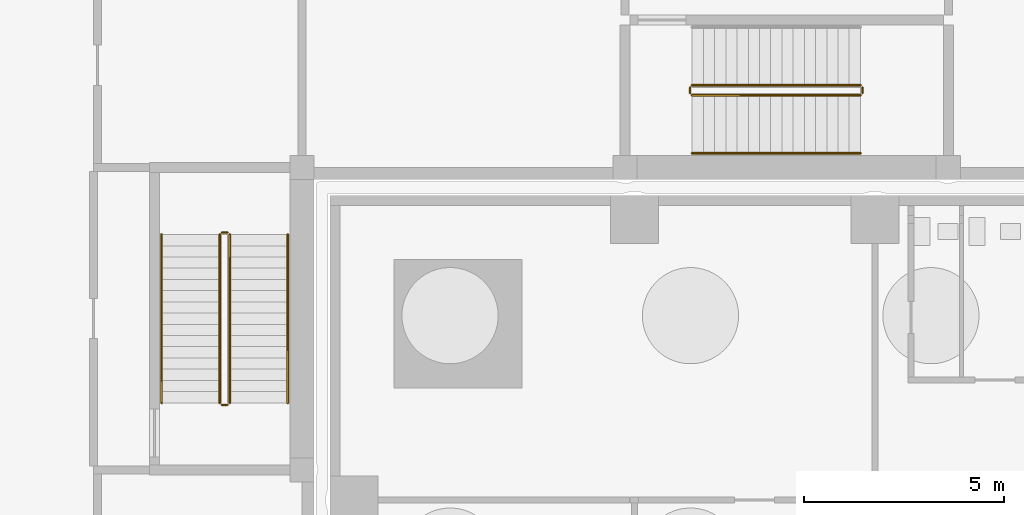
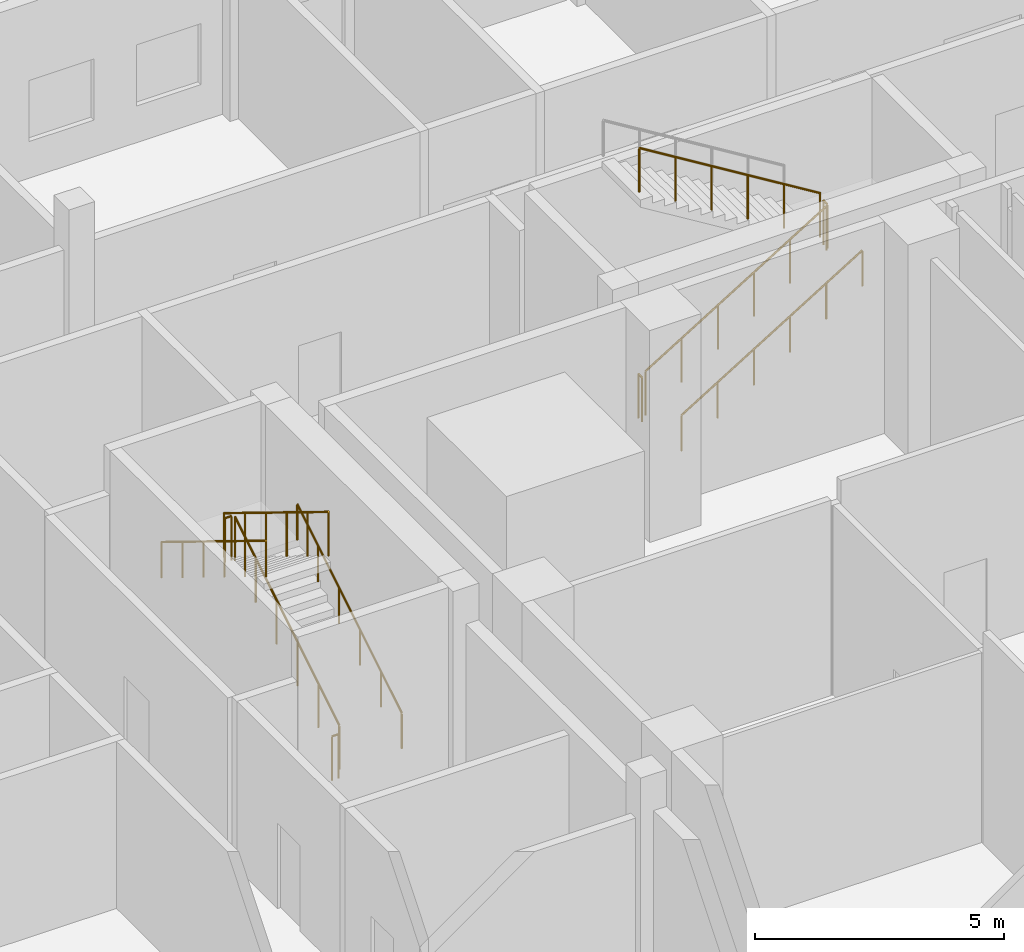
# One storey, part 28 of 33: 11 railings.
"""IFC4 building model written with IfcOpenShell, lengths in metres."""

from ifc_helpers import new_model, si_unit, direction, frame, origin, origin_2d, place, context, subcontext, project, spatial, circle, extrude, material, type_object, element, save


model = new_model("IFC4")

# Units and contexts
model_context = context("Model", 3, precision=1e-05, world=origin(), true_north=direction((0.0, 1.0)))
body_context = subcontext(model_context, "Body", "Model", "MODEL_VIEW")
ifc_project = project(units=[si_unit("LENGTHUNIT", "METRE"), si_unit("AREAUNIT", "SQUARE_METRE"), si_unit("VOLUMEUNIT", "CUBIC_METRE"), si_unit("PLANEANGLEUNIT", "RADIAN"), si_unit("MASSUNIT", "GRAM", prefix="KILO")], contexts=[model_context])

# Site, building, storey
site_placement = place(None, origin())
site = spatial("IfcSite", under=ifc_project, at=site_placement, CompositionType="ELEMENT")
building_placement = place(site_placement, origin())
building = spatial("IfcBuilding", under=site, at=building_placement, Name="Amberfall Residences", CompositionType="ELEMENT")
storey_placement = place(building_placement, origin())
storey = spatial("IfcBuildingStorey", under=building, at=storey_placement, Name="L00", CompositionType="ELEMENT", Elevation=0.0)

# Railings
ifc_material = material(Name="Stainless steel", Category="steel")
railing_type_1 = type_object("IfcRailingType", Name="School stair guard 1100", PredefinedType="GUARDRAIL", material=ifc_material)
railing_1_placement = place(storey_placement, frame((49.5, 62.824951171875, 0.171875)))
element("IfcRailing", 1, at=railing_1_placement, inside=storey, type_object=railing_type_1, Name="L00 SS3 stair guard 1", PredefinedType="GUARDRAIL", context=body_context, shape_type="SweptSolid", body=[
    extrude(circle(Radius=0.02392578125, at=origin_2d()), frame((0.0, 0.0, 1.076171875), z_axis=(0.0, 0.852242915053, 0.523146264196), x_axis=(-1.0, 0.0, 0.0)), (0.0, 0.0, 1.0), 4.92822265625),
    extrude(circle(Radius=0.02099609375, at=origin_2d()), origin(), (0.0, 0.0, 1.0), 1.052001953125),
    extrude(circle(Radius=0.02099609375, at=origin_2d()), frame((0.0, 0.840087890625, 0.515625)), (0.0, 0.0, 1.0), 1.052001953125),
    extrude(circle(Radius=0.02099609375, at=origin_2d()), frame((0.0, 1.679931640625, 1.03125)), (0.0, 0.0, 1.0), 1.052001953125),
    extrude(circle(Radius=0.02099609375, at=origin_2d()), frame((0.0, 2.52001953125, 1.546875)), (0.0, 0.0, 1.0), 1.052001953125),
    extrude(circle(Radius=0.02099609375, at=origin_2d()), frame((0.0, 3.35986328125, 2.0625)), (0.0, 0.0, 1.0), 1.052001953125),
    extrude(circle(Radius=0.02099609375, at=origin_2d()), frame((0.0, 4.199951171875, 2.578125)), (0.0, 0.0, 1.0), 1.052001953125),
])
railing_2_placement = place(storey_placement, frame((49.449951171875, 67.074951171875, 2.75)))
element("IfcRailing", 2, at=railing_2_placement, inside=storey, type_object=railing_type_1, Name="L00 SS3 stair guard 2", PredefinedType="GUARDRAIL", context=body_context, shape_type="SweptSolid", body=[
    extrude(circle(Radius=0.02392578125, at=origin_2d()), frame((0.0, 0.0, 1.076171875), z_axis=(-1.0, 0.0, 0.0), x_axis=(0.0, -1.0, 0.0)), (0.0, 0.0, 1.0), 0.14990234375),
    extrude(circle(Radius=0.02099609375, at=origin_2d()), origin(), (0.0, 0.0, 1.0), 1.052001953125),
    extrude(circle(Radius=0.02099609375, at=origin_2d()), frame((-0.14990234375, 0.0, 0.0)), (0.0, 0.0, 1.0), 1.052001953125),
])
railing_3_placement = place(storey_placement, frame((49.25, 67.02490234375, 2.921875)))
element("IfcRailing", 3, at=railing_3_placement, inside=storey, type_object=railing_type_1, Name="L00 SS3 stair guard 3", PredefinedType="GUARDRAIL", context=body_context, shape_type="SweptSolid", body=[
    extrude(circle(Radius=0.02392578125, at=origin_2d()), frame((0.0, 0.0, 1.076171875), z_axis=(0.0, -0.852242915053, 0.523146264196), x_axis=(1.0, 0.0, 0.0)), (0.0, 0.0, 1.0), 4.92822265625),
    extrude(circle(Radius=0.02099609375, at=origin_2d()), origin(), (0.0, 0.0, 1.0), 1.052001953125),
    extrude(circle(Radius=0.02099609375, at=origin_2d()), frame((0.0, -0.840087890625, 0.515625)), (0.0, 0.0, 1.0), 1.052001953125),
    extrude(circle(Radius=0.02099609375, at=origin_2d()), frame((0.0, -1.679931640625, 1.03125)), (0.0, 0.0, 1.0), 1.052001953125),
    extrude(circle(Radius=0.02099609375, at=origin_2d()), frame((0.0, -2.52001953125, 1.546875)), (0.0, 0.0, 1.0), 1.052001953125),
    extrude(circle(Radius=0.02099609375, at=origin_2d()), frame((0.0, -3.35986328125, 2.0625)), (0.0, 0.0, 1.0), 1.052001953125),
    extrude(circle(Radius=0.02099609375, at=origin_2d()), frame((0.0, -4.199951171875, 2.578125)), (0.0, 0.0, 1.0), 1.052001953125),
])
railing_4_placement = place(storey_placement, frame((49.449951171875, 62.77490234375, 0.0)))
element("IfcRailing", 4, at=railing_4_placement, inside=storey, type_object=railing_type_1, Name="L00 SS3 stair guard 4", PredefinedType="GUARDRAIL", context=body_context, shape_type="SweptSolid", body=[
    extrude(circle(Radius=0.02392578125, at=origin_2d()), frame((0.0, 0.0, 1.076171875), z_axis=(-1.0, 0.0, 0.0), x_axis=(0.0, -1.0, 0.0)), (0.0, 0.0, 1.0), 0.14990234375),
    extrude(circle(Radius=0.02099609375, at=origin_2d()), origin(), (0.0, 0.0, 1.0), 1.052001953125),
    extrude(circle(Radius=0.02099609375, at=origin_2d()), frame((-0.14990234375, 0.0, 0.0)), (0.0, 0.0, 1.0), 1.052001953125),
])
railing_5_placement = place(storey_placement, frame((61.0419921875, 70.5, 0.171875)))
element("IfcRailing", 5, at=railing_5_placement, inside=storey, type_object=railing_type_1, Name="L00 SS4 stair guard 1", PredefinedType="GUARDRAIL", context=body_context, shape_type="SweptSolid", body=[
    extrude(circle(Radius=0.02392578125, at=origin_2d()), frame((0.0, 0.0, 1.076171875), z_axis=(0.852242915053, 0.0, 0.523146264196), x_axis=(0.0, 1.0, 0.0)), (0.0, 0.0, 1.0), 4.92822265625),
    extrude(circle(Radius=0.02099609375, at=origin_2d()), origin(), (0.0, 0.0, 1.0), 1.052001953125),
    extrude(circle(Radius=0.02099609375, at=origin_2d()), frame((0.840087890625, 0.0, 0.515625)), (0.0, 0.0, 1.0), 1.052001953125),
    extrude(circle(Radius=0.02099609375, at=origin_2d()), frame((1.679931640625, 0.0, 1.03125)), (0.0, 0.0, 1.0), 1.052001953125),
    extrude(circle(Radius=0.02099609375, at=origin_2d()), frame((2.52001953125, 0.0, 1.546875)), (0.0, 0.0, 1.0), 1.052001953125),
    extrude(circle(Radius=0.02099609375, at=origin_2d()), frame((3.35986328125, 0.0, 2.0625)), (0.0, 0.0, 1.0), 1.052001953125),
    extrude(circle(Radius=0.02099609375, at=origin_2d()), frame((4.199951171875, 0.0, 2.578125)), (0.0, 0.0, 1.0), 1.052001953125),
])
railing_6_placement = place(storey_placement, frame((65.2919921875, 70.550048828125, 2.75)))
element("IfcRailing", 6, at=railing_6_placement, inside=storey, type_object=railing_type_1, Name="L00 SS4 stair guard 2", PredefinedType="GUARDRAIL", context=body_context, shape_type="SweptSolid", body=[
    extrude(circle(Radius=0.02392578125, at=origin_2d()), frame((0.0, 0.0, 1.076171875), z_axis=(0.0, 1.0, 0.0), x_axis=(-1.0, 0.0, 0.0)), (0.0, 0.0, 1.0), 0.14990234375),
    extrude(circle(Radius=0.02099609375, at=origin_2d()), origin(), (0.0, 0.0, 1.0), 1.052001953125),
    extrude(circle(Radius=0.02099609375, at=origin_2d()), frame((0.0, 0.14990234375, 0.0)), (0.0, 0.0, 1.0), 1.052001953125),
])
railing_7_placement = place(storey_placement, frame((65.241943359375, 70.75, 2.921875)))
element("IfcRailing", 7, at=railing_7_placement, inside=storey, type_object=railing_type_1, Name="L00 SS4 stair guard 3", PredefinedType="GUARDRAIL", context=body_context, shape_type="SweptSolid", body=[
    extrude(circle(Radius=0.02392578125, at=origin_2d()), frame((0.0, 0.0, 1.076171875), z_axis=(-0.852242915053, 0.0, 0.523146264196), x_axis=(0.0, -1.0, 0.0)), (0.0, 0.0, 1.0), 4.92822265625),
    extrude(circle(Radius=0.02099609375, at=origin_2d()), origin(), (0.0, 0.0, 1.0), 1.052001953125),
    extrude(circle(Radius=0.02099609375, at=origin_2d()), frame((-0.840087890625, 0.0, 0.515625)), (0.0, 0.0, 1.0), 1.052001953125),
    extrude(circle(Radius=0.02099609375, at=origin_2d()), frame((-1.679931640625, 0.0, 1.03125)), (0.0, 0.0, 1.0), 1.052001953125),
    extrude(circle(Radius=0.02099609375, at=origin_2d()), frame((-2.52001953125, 0.0, 1.546875)), (0.0, 0.0, 1.0), 1.052001953125),
    extrude(circle(Radius=0.02099609375, at=origin_2d()), frame((-3.35986328125, 0.0, 2.0625)), (0.0, 0.0, 1.0), 1.052001953125),
    extrude(circle(Radius=0.02099609375, at=origin_2d()), frame((-4.199951171875, 0.0, 2.578125)), (0.0, 0.0, 1.0), 1.052001953125),
])
railing_8_placement = place(storey_placement, frame((60.991943359375, 70.550048828125, 0.0)))
element("IfcRailing", 8, at=railing_8_placement, inside=storey, type_object=railing_type_1, Name="L00 SS4 stair guard 4", PredefinedType="GUARDRAIL", context=body_context, shape_type="SweptSolid", body=[
    extrude(circle(Radius=0.02392578125, at=origin_2d()), frame((0.0, 0.0, 1.076171875), z_axis=(0.0, 1.0, 0.0), x_axis=(-1.0, 0.0, 0.0)), (0.0, 0.0, 1.0), 0.14990234375),
    extrude(circle(Radius=0.02099609375, at=origin_2d()), origin(), (0.0, 0.0, 1.0), 1.052001953125),
    extrude(circle(Radius=0.02099609375, at=origin_2d()), frame((0.0, 0.14990234375, 0.0)), (0.0, 0.0, 1.0), 1.052001953125),
])
railing_type_2 = type_object("IfcRailingType", Name="School stair handrail", PredefinedType="HANDRAIL", material=ifc_material)
railing_9_placement = place(storey_placement, frame((50.949951171875, 62.824951171875, 0.171875)))
element("IfcRailing", 9, at=railing_9_placement, inside=storey, type_object=railing_type_2, Name="L00 SS3 stair handrail 1", PredefinedType="HANDRAIL", context=body_context, shape_type="SweptSolid", body=[
    extrude(circle(Radius=0.02392578125, at=origin_2d()), frame((0.0, 0.0, 0.8759765625), z_axis=(0.0, 0.852242915053, 0.523146264196), x_axis=(-1.0, 0.0, 0.0)), (0.0, 0.0, 1.0), 4.92822265625),
    extrude(circle(Radius=0.02099609375, at=origin_2d()), origin(), (0.0, 0.0, 1.0), 0.851806640625),
    extrude(circle(Radius=0.02099609375, at=origin_2d()), frame((0.0, 0.840087890625, 0.515625)), (0.0, 0.0, 1.0), 0.851806640625),
    extrude(circle(Radius=0.02099609375, at=origin_2d()), frame((0.0, 1.679931640625, 1.03125)), (0.0, 0.0, 1.0), 0.851806640625),
    extrude(circle(Radius=0.02099609375, at=origin_2d()), frame((0.0, 2.52001953125, 1.546875)), (0.0, 0.0, 1.0), 0.851806640625),
    extrude(circle(Radius=0.02099609375, at=origin_2d()), frame((0.0, 3.35986328125, 2.0625)), (0.0, 0.0, 1.0), 0.851806640625),
    extrude(circle(Radius=0.02099609375, at=origin_2d()), frame((0.0, 4.199951171875, 2.578125)), (0.0, 0.0, 1.0), 0.851806640625),
])
railing_10_placement = place(storey_placement, frame((47.800048828125, 67.02490234375, 2.921875)))
element("IfcRailing", 10, at=railing_10_placement, inside=storey, type_object=railing_type_2, Name="L00 SS3 stair handrail 2", PredefinedType="HANDRAIL", context=body_context, shape_type="SweptSolid", body=[
    extrude(circle(Radius=0.02392578125, at=origin_2d()), frame((0.0, 0.0, 0.8759765625), z_axis=(0.0, -0.852242915053, 0.523146264196), x_axis=(1.0, 0.0, 0.0)), (0.0, 0.0, 1.0), 4.92822265625),
    extrude(circle(Radius=0.02099609375, at=origin_2d()), origin(), (0.0, 0.0, 1.0), 0.851806640625),
    extrude(circle(Radius=0.02099609375, at=origin_2d()), frame((0.0, -0.840087890625, 0.515625)), (0.0, 0.0, 1.0), 0.851806640625),
    extrude(circle(Radius=0.02099609375, at=origin_2d()), frame((0.0, -1.679931640625, 1.03125)), (0.0, 0.0, 1.0), 0.851806640625),
    extrude(circle(Radius=0.02099609375, at=origin_2d()), frame((0.0, -2.52001953125, 1.546875)), (0.0, 0.0, 1.0), 0.851806640625),
    extrude(circle(Radius=0.02099609375, at=origin_2d()), frame((0.0, -3.35986328125, 2.0625)), (0.0, 0.0, 1.0), 0.851806640625),
    extrude(circle(Radius=0.02099609375, at=origin_2d()), frame((0.0, -4.199951171875, 2.578125)), (0.0, 0.0, 1.0), 0.851806640625),
])
railing_11_placement = place(storey_placement, frame((61.0419921875, 69.050048828125, 0.171875)))
element("IfcRailing", 11, at=railing_11_placement, inside=storey, type_object=railing_type_2, Name="L00 SS4 stair handrail 1", PredefinedType="HANDRAIL", context=body_context, shape_type="SweptSolid", body=[
    extrude(circle(Radius=0.02392578125, at=origin_2d()), frame((0.0, 0.0, 0.8759765625), z_axis=(0.852242915053, 0.0, 0.523146264196), x_axis=(0.0, 1.0, 0.0)), (0.0, 0.0, 1.0), 4.92822265625),
    extrude(circle(Radius=0.02099609375, at=origin_2d()), origin(), (0.0, 0.0, 1.0), 0.851806640625),
    extrude(circle(Radius=0.02099609375, at=origin_2d()), frame((0.840087890625, 0.0, 0.515625)), (0.0, 0.0, 1.0), 0.851806640625),
    extrude(circle(Radius=0.02099609375, at=origin_2d()), frame((1.679931640625, 0.0, 1.03125)), (0.0, 0.0, 1.0), 0.851806640625),
    extrude(circle(Radius=0.02099609375, at=origin_2d()), frame((2.52001953125, 0.0, 1.546875)), (0.0, 0.0, 1.0), 0.851806640625),
    extrude(circle(Radius=0.02099609375, at=origin_2d()), frame((3.35986328125, 0.0, 2.0625)), (0.0, 0.0, 1.0), 0.851806640625),
    extrude(circle(Radius=0.02099609375, at=origin_2d()), frame((4.199951171875, 0.0, 2.578125)), (0.0, 0.0, 1.0), 0.851806640625),
])

save(model, "model.ifc")
